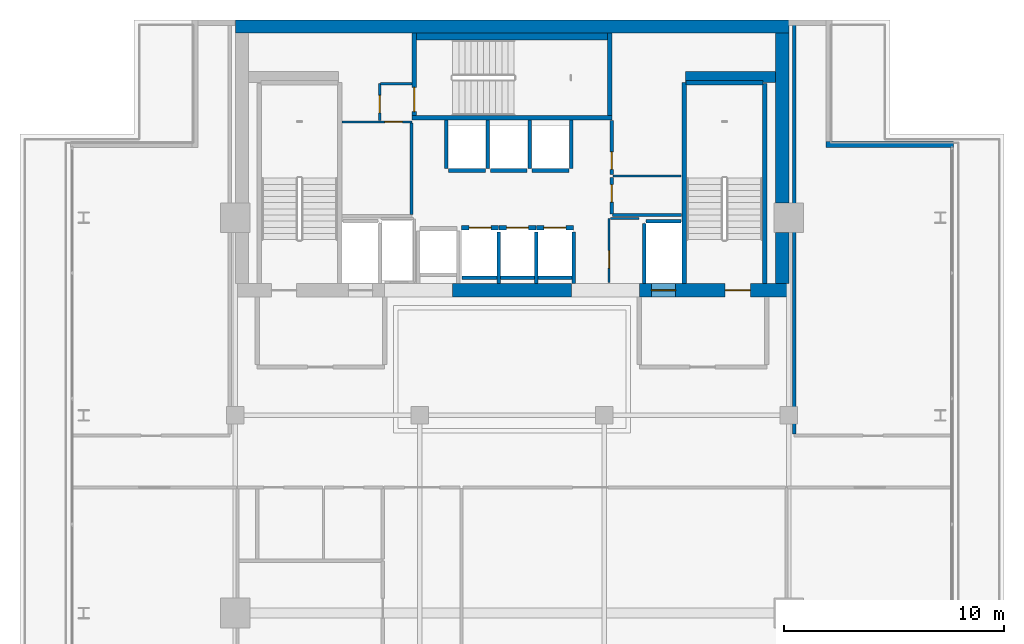
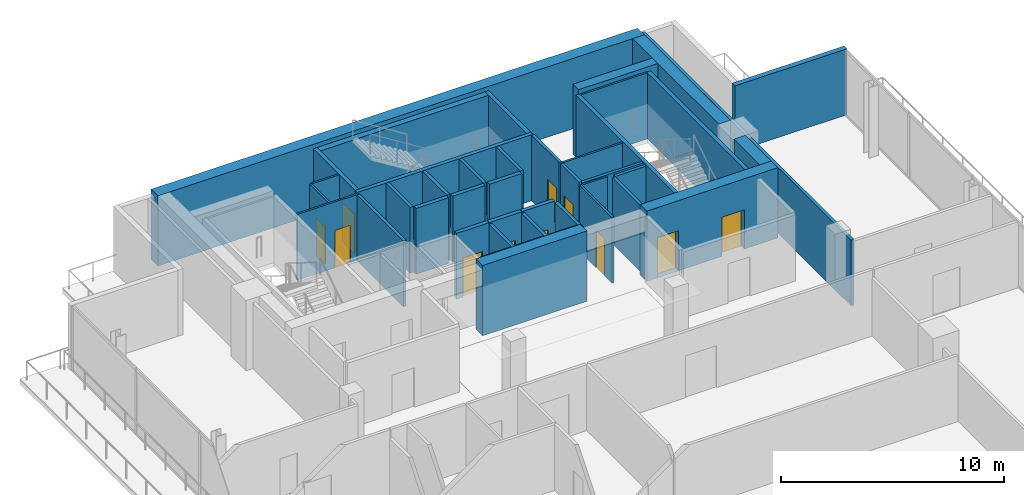
# One storey, part 17 of 21: 41 walls, 11 doors, 11 openings.
"""IFC4 building model written with IfcOpenShell, lengths in metres."""

from ifc_helpers import new_model, si_unit, direction, frame, frame_2d, origin, place, context, subcontext, project, spatial, rectangle, extrude, material, layer, layer_set, type_object, element, fill, save


model = new_model("IFC4")

# Units and contexts
model_context = context("Model", 3, precision=1e-05, world=origin(), true_north=direction((0.0, 1.0)))
body_context = subcontext(model_context, "Body", "Model", "MODEL_VIEW")
ifc_project = project(units=[si_unit("LENGTHUNIT", "METRE"), si_unit("AREAUNIT", "SQUARE_METRE"), si_unit("VOLUMEUNIT", "CUBIC_METRE"), si_unit("PLANEANGLEUNIT", "RADIAN"), si_unit("MASSUNIT", "GRAM", prefix="KILO")], contexts=[model_context])

# Site, building, storey
site_placement = place(None, origin())
site = spatial("IfcSite", under=ifc_project, at=site_placement, CompositionType="ELEMENT")
building_placement = place(site_placement, origin())
building = spatial("IfcBuilding", under=site, at=building_placement, Name="Maruvema Waterfront Hotel and Observation Tower", CompositionType="ELEMENT")
storey_placement = place(building_placement, frame((0.0, 0.0, 322.0)))
storey = spatial("IfcBuildingStorey", under=building, at=storey_placement, Name="L79", CompositionType="ELEMENT", Elevation=322.0)

# Wall
ifc_material_1 = material(Name="Twin-stud acoustic gypsum drywall", Category="gypsum")
ifc_layer_1 = layer(ifc_material_1, 0.14990234375, Name="Acoustic Corridor and Suite Demising Wall 150 mm")
ifc_layer_set_1 = layer_set([ifc_layer_1], Name="Twin-stud acoustic gypsum drywall")
wall_type_1 = type_object("IfcWallType", Name="Acoustic Corridor and Suite Demising Wall 150 mm", PredefinedType="PARTITIONING", material=ifc_layer_set_1)
wall_1_placement = place(storey_placement, frame((33.219970703125, 45.139892578125, 0.0), z_axis=(0.0, 0.0, 1.0), x_axis=(0.0, 1.0, 0.0)))
element("IfcWall", 1, at=wall_1_placement, inside=storey, type_object=wall_type_1, Name="L79 Freed B1 East Wall 013", PredefinedType="PARTITIONING", context=body_context, shape_type="SweptSolid", body=[
    extrude(rectangle(XDim=4.16015625, YDim=0.14990234375, at=frame_2d((2.080078125, 0.0))), origin(), (0.0, 0.0, 1.0), 3.610107421875),
])

# Wall, opening, door
wall_2_placement = place(storey_placement, frame((42.340087890625, 45.159912109375, 0.0), z_axis=(0.0, 0.0, 1.0), x_axis=(0.0, 1.0, 0.0)))
wall_2 = element("IfcWall", 2, at=wall_2_placement, inside=storey, type_object=wall_type_1, Name="L79 Freed B2 West S 017", PredefinedType="PARTITIONING", context=body_context, shape_type="SweptSolid", body=[
    extrude(rectangle(XDim=1.68017578125, YDim=0.14990234375, at=frame_2d((0.840087890625, 0.0))), origin(), (0.0, 0.0, 1.0), 3.610107421875),
])
opening_1_placement = place(wall_2_placement, frame((0.550048828125, 0.0, 0.0)))
opening_1 = element("IfcOpeningElement", 3, at=opening_1_placement, cuts=wall_2, Name="Opening DR-080", PredefinedType="OPENING", context=body_context, shape_type="SweptSolid", body=[
    extrude(rectangle(XDim=0.800048828125, YDim=2.050048828125, at=frame_2d((0.39990234375, 1.02490234375))), frame((0.0, 0.0849609375, 0.0), z_axis=(0.0, -1.0, 0.0), x_axis=(1.0, 0.0, 0.0)), (0.0, 0.0, 1.0), 0.169921875),
])
ifc_material_2 = material(Name="Powder-coated steel access leaf", Category="steel")
door_type_1 = type_object("IfcDoorType", Name="Riser and Service Cupboard Door 800x2050 mm", OperationType="NOTDEFINED", PredefinedType="DOOR", material=ifc_material_2)
door_1_placement = place(opening_1_placement, frame((0.800048828125, 0.0, 0.0), z_axis=(0.0, 0.0, 1.0), x_axis=(-1.0, 0.0, 0.0)))
door_1 = element("IfcDoor", 4, at=door_1_placement, inside=storey, type_object=door_type_1, Name="L79 Butler Service Pantry Door", OperationType="SINGLE_SWING_RIGHT", OverallHeight=2.050048828125, OverallWidth=0.800048828125, PredefinedType="DOOR", context=body_context, shape_type="SweptSolid", body=[
    extrude(rectangle(XDim=0.800048828125, YDim=2.050048828125, at=frame_2d((0.39990234375, 1.02490234375))), frame((0.0, 0.02490234375, 0.0), z_axis=(0.0, -1.0, 0.0), x_axis=(1.0, 0.0, 0.0)), (0.0, 0.0, 1.0), 0.050048828125),
])
fill(opening_1, door_1)

wall_3_placement = place(storey_placement, frame((42.340087890625, 46.9599609375, 0.0), z_axis=(0.0, 0.0, 1.0), x_axis=(0.0, 1.0, 0.0)))
wall_3 = element("IfcWall", 5, at=wall_3_placement, inside=storey, type_object=wall_type_1, Name="L79 Freed B2 West N 018", PredefinedType="PARTITIONING", context=body_context, shape_type="SweptSolid", body=[
    extrude(rectangle(XDim=2.4599609375, YDim=0.14990234375, at=frame_2d((1.22998046875, 0.0))), origin(), (0.0, 0.0, 1.0), 3.610107421875),
])
opening_2_placement = place(wall_3_placement, frame((0.239990234375, 0.0, 0.0)))
opening_2 = element("IfcOpeningElement", 6, at=opening_2_placement, cuts=wall_3, Name="Opening DR-080", PredefinedType="OPENING", context=body_context, shape_type="SweptSolid", body=[
    extrude(rectangle(XDim=0.800048828125, YDim=2.050048828125, at=frame_2d((0.39990234375, 1.02490234375))), frame((0.0, 0.0849609375, 0.0), z_axis=(0.0, -1.0, 0.0), x_axis=(1.0, 0.0, 0.0)), (0.0, 0.0, 1.0), 0.169921875),
])
door_2_placement = place(opening_2_placement, frame((0.800048828125, 0.0, 0.0), z_axis=(0.0, 0.0, 1.0), x_axis=(-1.0, 0.0, 0.0)))
door_2 = element("IfcDoor", 7, at=door_2_placement, inside=storey, type_object=door_type_1, Name="L79 Core IT and Linen Store Door", OperationType="SINGLE_SWING_LEFT", OverallHeight=2.050048828125, OverallWidth=0.800048828125, PredefinedType="DOOR", context=body_context, shape_type="SweptSolid", body=[
    extrude(rectangle(XDim=0.800048828125, YDim=2.050048828125, at=frame_2d((0.39990234375, 1.02490234375))), frame((0.0, 0.02490234375, 0.0), z_axis=(0.0, -1.0, 0.0), x_axis=(1.0, 0.0, 0.0)), (0.0, 0.0, 1.0), 0.050048828125),
])
fill(opening_2, door_2)

# Walls
wall_4_placement = place(storey_placement, frame((42.3798828125, 45.1201171875, 0.0), z_axis=(0.0, 0.0, 1.0), x_axis=(1.0, 0.0, 0.0)))
element("IfcWall", 8, at=wall_4_placement, inside=storey, type_object=wall_type_1, Name="L79 Freed B2 South Wall 020", PredefinedType="PARTITIONING", context=body_context, shape_type="SweptSolid", body=[
    extrude(rectangle(XDim=3.14013671875, YDim=0.14990234375, at=frame_2d((1.570068359375, 0.0))), origin(), (0.0, 0.0, 1.0), 3.610107421875),
])
wall_5_placement = place(storey_placement, frame((50.64990234375, 35.139892578125, 0.0), z_axis=(0.0, 0.0, 1.0), x_axis=(0.0, 1.0, 0.0)))
element("IfcWall", 9, at=wall_5_placement, inside=storey, type_object=wall_type_1, Name="L79 L79 Pastry West 040", PredefinedType="PARTITIONING", context=body_context, shape_type="SweptSolid", body=[
    extrude(rectangle(XDim=18.780029296875, YDim=0.14990234375, at=frame_2d((9.39013671875, 0.0))), origin(), (0.0, 0.0, 1.0), 3.610107421875),
])
ifc_material_3 = material(Name="Precast concrete C45/55", Category="concrete")
ifc_layer_2 = layer(ifc_material_3, 0.300048828125, Name="Core Shaft Furring Wall 300 mm")
ifc_layer_set_2 = layer_set([ifc_layer_2], Name="Precast concrete C45/55")
wall_type_2 = type_object("IfcWallType", Name="Core Shaft Furring Wall 300 mm", PredefinedType="SOLIDWALL", material=ifc_layer_set_2)
wall_6_placement = place(storey_placement, frame((33.449951171875, 53.25, 0.0), z_axis=(0.0, 0.0, 1.0), x_axis=(1.0, 0.0, 0.0)))
element("IfcWall", 10, at=wall_6_placement, inside=storey, type_object=wall_type_2, Name="L79 Stairwell ST-02 North Furring Wall", PredefinedType="SOLIDWALL", context=body_context, shape_type="SweptSolid", body=[
    extrude(rectangle(XDim=8.699951171875, YDim=0.300048828125, at=frame_2d((4.35009765625, 0.0))), origin(), (0.0, 0.0, 1.0), 3.610107421875),
])
ifc_material_4 = material(Name="Precast concrete C45/55", Category="concrete")
ifc_layer_3 = layer(ifc_material_4, 0.199951171875, Name="Core Shaft and Stairwell Enclosure Wall 200 mm")
ifc_layer_set_3 = layer_set([ifc_layer_3], Name="Precast concrete C45/55")
wall_type_3 = type_object("IfcWallType", Name="Core Shaft and Stairwell Enclosure Wall 200 mm", PredefinedType="SOLIDWALL", material=ifc_layer_set_3)
wall_7_placement = place(storey_placement, frame((33.25, 49.550048828125, 0.0), z_axis=(0.0, 0.0, 1.0), x_axis=(1.0, 0.0, 0.0)))
element("IfcWall", 11, at=wall_7_placement, inside=storey, type_object=wall_type_3, Name="L79 Stairwell ST-02 Shaft Wall", PredefinedType="SOLIDWALL", context=body_context, shape_type="SweptSolid", body=[
    extrude(rectangle(XDim=9.10009765625, YDim=0.199951171875, at=frame_2d((4.550048828125, 0.0))), origin(), (0.0, 0.0, 1.0), 3.610107421875),
])
wall_8_placement = place(storey_placement, frame((42.25, 49.64990234375, 0.0), z_axis=(0.0, 0.0, 1.0), x_axis=(0.0, 1.0, 0.0)))
element("IfcWall", 12, at=wall_8_placement, inside=storey, type_object=wall_type_3, Name="L79 Stairwell ST-02 Shaft Wall", PredefinedType="SOLIDWALL", context=body_context, shape_type="SweptSolid", body=[
    extrude(rectangle(XDim=3.75, YDim=0.199951171875, at=frame_2d((1.875, 0.0))), origin(), (0.0, 0.0, 1.0), 3.610107421875),
])

# Wall, opening, door
wall_9_placement = place(storey_placement, frame((33.35009765625, 49.64990234375, 0.0), z_axis=(0.0, 0.0, 1.0), x_axis=(0.0, 1.0, 0.0)))
wall_9 = element("IfcWall", 13, at=wall_9_placement, inside=storey, type_object=wall_type_3, Name="L79 Stairwell ST-02 Shaft Wall", PredefinedType="SOLIDWALL", context=body_context, shape_type="SweptSolid", body=[
    extrude(rectangle(XDim=3.75, YDim=0.199951171875, at=frame_2d((1.875, 0.0))), origin(), (0.0, 0.0, 1.0), 3.610107421875),
])
opening_3_placement = place(wall_9_placement, frame((0.179931640625, 0.0, 0.0)))
opening_3 = element("IfcOpeningElement", 14, at=opening_3_placement, cuts=wall_9, Name="Opening SD-02", PredefinedType="OPENING", context=body_context, shape_type="SweptSolid", body=[
    extrude(rectangle(XDim=1.10009765625, YDim=2.14990234375, at=frame_2d((0.550048828125, 1.074951171875))), frame((0.0, 0.10986328125, 0.0), z_axis=(0.0, -1.0, 0.0), x_axis=(1.0, 0.0, 0.0)), (0.0, 0.0, 1.0), 0.219970703125),
])
ifc_material_5 = material(Name="Fire-rated galvanised steel leaf", Category="steel")
door_type_2 = type_object("IfcDoorType", Name="Central Exit Stair Fire Door 1100x2150 mm", OperationType="NOTDEFINED", PredefinedType="DOOR", material=ifc_material_5)
door_3_placement = place(opening_3_placement, frame((1.10009765625, 0.0, 0.0), z_axis=(0.0, 0.0, 1.0), x_axis=(-1.0, 0.0, 0.0)))
door_3 = element("IfcDoor", 15, at=door_3_placement, inside=storey, type_object=door_type_2, Name="L79 Exit Stair ST-02 Fire Door", OperationType="SINGLE_SWING_LEFT", OverallHeight=2.14990234375, OverallWidth=1.10009765625, PredefinedType="DOOR", context=body_context, shape_type="SweptSolid", body=[
    extrude(rectangle(XDim=1.10009765625, YDim=2.14990234375, at=frame_2d((0.550048828125, 1.074951171875))), frame((0.0, 0.02490234375, 0.0), z_axis=(0.0, -1.0, 0.0), x_axis=(1.0, 0.0, 0.0)), (0.0, 0.0, 1.0), 0.050048828125),
])
fill(opening_3, door_3)

# Walls
wall_10_placement = place(storey_placement, frame((45.64990234375, 42.0, 0.0), z_axis=(0.0, 0.0, 1.0), x_axis=(0.0, 1.0, 0.0)))
element("IfcWall", 16, at=wall_10_placement, inside=storey, type_object=wall_type_3, Name="L79 Stairwell ST-03 West Shaft Wall", PredefinedType="SOLIDWALL", context=body_context, shape_type="SweptSolid", body=[
    extrude(rectangle(XDim=9.14990234375, YDim=0.199951171875, at=frame_2d((4.574951171875, 0.0))), origin(), (0.0, 0.0, 1.0), 3.610107421875),
])
wall_11_placement = place(storey_placement, frame((49.300048828125, 42.0, 0.0), z_axis=(0.0, 0.0, 1.0), x_axis=(0.0, 1.0, 0.0)))
element("IfcWall", 17, at=wall_11_placement, inside=storey, type_object=wall_type_3, Name="L79 Stairwell ST-03 Shaft Lining Wall", PredefinedType="SOLIDWALL", context=body_context, shape_type="SweptSolid", body=[
    extrude(rectangle(XDim=9.1201171875, YDim=0.199951171875, at=frame_2d((4.56005859375, 0.0))), origin(), (0.0, 0.0, 1.0), 3.610107421875),
])
wall_12_placement = place(storey_placement, frame((45.719970703125, 51.14990234375, 0.0), z_axis=(0.0, 0.0, 1.0), x_axis=(1.0, 0.0, 0.0)))
element("IfcWall", 18, at=wall_12_placement, inside=storey, type_object=wall_type_3, Name="L79 Stairwell ST-03 Shaft Lining Wall", PredefinedType="SOLIDWALL", context=body_context, shape_type="SweptSolid", body=[
    extrude(rectangle(XDim=3.5, YDim=0.199951171875, at=frame_2d((1.75, 0.0))), origin(), (0.0, 0.0, 1.0), 3.610107421875),
])

# Wall, opening, door
wall_13_placement = place(storey_placement, frame((35.510009765625, 44.550048828125, 0.0), z_axis=(0.0, 0.0, 1.0), x_axis=(1.0, 0.0, 0.0)))
wall_13 = element("IfcWall", 19, at=wall_13_placement, inside=storey, type_object=wall_type_3, Name="L79 Lift LF-09 Hoistway Front Wall", PredefinedType="SOLIDWALL", context=body_context, shape_type="SweptSolid", body=[
    extrude(rectangle(XDim=1.679931640625, YDim=0.199951171875, at=frame_2d((0.83984375, 0.0))), origin(), (0.0, 0.0, 1.0), 3.610107421875),
])
opening_4_placement = place(wall_13_placement, frame((0.340087890625, 0.0, 0.0)))
opening_4 = element("IfcOpeningElement", 20, at=opening_4_placement, cuts=wall_13, Name="Opening LD-01", PredefinedType="OPENING", context=body_context, shape_type="SweptSolid", body=[
    extrude(rectangle(XDim=1.0, YDim=2.14990234375, at=frame_2d((0.5, 1.074951171875))), frame((0.0, 0.10986328125, 0.0), z_axis=(0.0, -1.0, 0.0), x_axis=(1.0, 0.0, 0.0)), (0.0, 0.0, 1.0), 0.219970703125),
])
ifc_material_6 = material(Name="Brushed stainless steel Grade 316", Category="steel")
door_type_3 = type_object("IfcDoorType", Name="Passenger Lift Sliding Landing Door 1000x2150 mm", OperationType="SLIDING_TO_LEFT", PredefinedType="DOOR", material=ifc_material_6)
door_4_placement = place(opening_4_placement, origin())
door_4 = element("IfcDoor", 21, at=door_4_placement, inside=storey, type_object=door_type_3, Name="L79 Lift LF-09 Sliding Landing Door", OperationType="SLIDING_TO_LEFT", OverallHeight=2.14990234375, OverallWidth=1.0, PredefinedType="DOOR", context=body_context, shape_type="SweptSolid", body=[
    extrude(rectangle(XDim=1.0, YDim=2.14990234375, at=frame_2d((0.5, 1.074951171875))), frame((0.0, 0.02490234375, 0.0), z_axis=(0.0, -1.0, 0.0), x_axis=(1.0, 0.0, 0.0)), (0.0, 0.0, 1.0), 0.050048828125),
])
fill(opening_4, door_4)

wall_14_placement = place(storey_placement, frame((37.2099609375, 44.550048828125, 0.0), z_axis=(0.0, 0.0, 1.0), x_axis=(1.0, 0.0, 0.0)))
wall_14 = element("IfcWall", 22, at=wall_14_placement, inside=storey, type_object=wall_type_3, Name="L79 Lift LF-10 Hoistway Front Wall", PredefinedType="SOLIDWALL", context=body_context, shape_type="SweptSolid", body=[
    extrude(rectangle(XDim=1.679931640625, YDim=0.199951171875, at=frame_2d((0.83984375, 0.0))), origin(), (0.0, 0.0, 1.0), 3.610107421875),
])
opening_5_placement = place(wall_14_placement, frame((0.340087890625, 0.0, 0.0)))
opening_5 = element("IfcOpeningElement", 23, at=opening_5_placement, cuts=wall_14, Name="Opening LD-01", PredefinedType="OPENING", context=body_context, shape_type="SweptSolid", body=[
    extrude(rectangle(XDim=1.0, YDim=2.14990234375, at=frame_2d((0.5, 1.074951171875))), frame((0.0, 0.10986328125, 0.0), z_axis=(0.0, -1.0, 0.0), x_axis=(1.0, 0.0, 0.0)), (0.0, 0.0, 1.0), 0.219970703125),
])
door_5_placement = place(opening_5_placement, origin())
door_5 = element("IfcDoor", 24, at=door_5_placement, inside=storey, type_object=door_type_3, Name="L79 Lift LF-10 Sliding Landing Door", OperationType="SLIDING_TO_LEFT", OverallHeight=2.14990234375, OverallWidth=1.0, PredefinedType="DOOR", context=body_context, shape_type="SweptSolid", body=[
    extrude(rectangle(XDim=1.0, YDim=2.14990234375, at=frame_2d((0.5, 1.074951171875))), frame((0.0, 0.02490234375, 0.0), z_axis=(0.0, -1.0, 0.0), x_axis=(1.0, 0.0, 0.0)), (0.0, 0.0, 1.0), 0.050048828125),
])
fill(opening_5, door_5)

wall_15_placement = place(storey_placement, frame((38.909912109375, 44.550048828125, 0.0), z_axis=(0.0, 0.0, 1.0), x_axis=(1.0, 0.0, 0.0)))
wall_15 = element("IfcWall", 25, at=wall_15_placement, inside=storey, type_object=wall_type_3, Name="L79 Lift LF-11 Hoistway Front Wall", PredefinedType="SOLIDWALL", context=body_context, shape_type="SweptSolid", body=[
    extrude(rectangle(XDim=1.68017578125, YDim=0.199951171875, at=frame_2d((0.840087890625, 0.0))), origin(), (0.0, 0.0, 1.0), 3.610107421875),
])
opening_6_placement = place(wall_15_placement, frame((0.340087890625, 0.0, 0.0)))
opening_6 = element("IfcOpeningElement", 26, at=opening_6_placement, cuts=wall_15, Name="Opening LD-01", PredefinedType="OPENING", context=body_context, shape_type="SweptSolid", body=[
    extrude(rectangle(XDim=1.0, YDim=2.14990234375, at=frame_2d((0.5, 1.074951171875))), frame((0.0, 0.10986328125, 0.0), z_axis=(0.0, -1.0, 0.0), x_axis=(1.0, 0.0, 0.0)), (0.0, 0.0, 1.0), 0.219970703125),
])
door_6_placement = place(opening_6_placement, origin())
door_6 = element("IfcDoor", 27, at=door_6_placement, inside=storey, type_object=door_type_3, Name="L79 Lift LF-11 Sliding Landing Door", OperationType="SLIDING_TO_LEFT", OverallHeight=2.14990234375, OverallWidth=1.0, PredefinedType="DOOR", context=body_context, shape_type="SweptSolid", body=[
    extrude(rectangle(XDim=1.0, YDim=2.14990234375, at=frame_2d((0.5, 1.074951171875))), frame((0.0, 0.02490234375, 0.0), z_axis=(0.0, -1.0, 0.0), x_axis=(1.0, 0.0, 0.0)), (0.0, 0.0, 1.0), 0.050048828125),
])
fill(opening_6, door_6)

# Walls
wall_16_placement = place(storey_placement, frame((34.909912109375, 47.14990234375, 0.0), z_axis=(0.0, 0.0, 1.0), x_axis=(1.0, 0.0, 0.0)))
element("IfcWall", 28, at=wall_16_placement, inside=storey, type_object=wall_type_3, Name="L79 Lift LF-12 Hoistway Front Wall", PredefinedType="SOLIDWALL", context=body_context, shape_type="SweptSolid", body=[
    extrude(rectangle(XDim=1.68017578125, YDim=0.199951171875, at=frame_2d((0.840087890625, 0.0))), origin(), (0.0, 0.0, 1.0), 3.610107421875),
])
for number, where, z_axis, x_axis, name in (
    (29, (36.81005859375, 47.14990234375, 0.0), (0.0, 0.0, 1.0), (1.0, 0.0, 0.0), "L79 Lift LF-13 Hoistway Front Wall"),
    (30, (38.7099609375, 47.14990234375, 0.0), (0.0, 0.0, 1.0), (1.0, 0.0, 0.0), "L79 Lift LF-14 Hoistway Front Wall"),
):
    element("IfcWall", number, at=place(storey_placement, frame(where, z_axis=z_axis, x_axis=x_axis)), inside=storey, type_object=wall_type_3, Name=name, PredefinedType="SOLIDWALL", context=body_context, shape_type="SweptSolid", body=[
        extrude(rectangle(XDim=1.679931640625, YDim=0.199951171875, at=frame_2d((0.83984375, 0.0))), origin(), (0.0, 0.0, 1.0), 3.610107421875),
    ])
ifc_material_7 = material(Name="Concrete C70/85", Category="concrete")
ifc_layer_4 = layer(ifc_material_7, 0.5, Name="Core Shear Wall 500 mm")
ifc_layer_set_4 = layer_set([ifc_layer_4], Name="Concrete C70/85")
wall_type_4 = type_object("IfcWallType", Name="Core Shear Wall 500 mm", PredefinedType="SHEAR", material=ifc_layer_set_4)
wall_17_placement = place(storey_placement, frame((45.699951171875, 51.39990234375, 0.0), z_axis=(0.0, 0.0, 1.0), x_axis=(1.0, 0.0, 0.0)))
element("IfcWall", 31, at=wall_17_placement, inside=storey, type_object=wall_type_4, Name="L79 Internal Core Shear Wall NE 500 mm", PredefinedType="SHEAR", context=body_context, shape_type="SweptSolid", body=[
    extrude(rectangle(XDim=4.10009765625, YDim=0.5, at=frame_2d((2.050048828125, 0.0))), origin(), (0.0, 0.0, 1.0), 3.85009765625),
])
ifc_material_8 = material(Name="Concrete C60/75", Category="concrete")
ifc_layer_5 = layer(ifc_material_8, 0.60009765625, Name="Core Shear Wall 600 mm")
ifc_layer_set_5 = layer_set([ifc_layer_5], Name="Concrete C60/75")
wall_type_5 = type_object("IfcWallType", Name="Core Shear Wall 600 mm", PredefinedType="SHEAR", material=ifc_layer_set_5)
wall_18_placement = place(storey_placement, frame((25.199951171875, 53.699951171875, 0.0), z_axis=(0.0, 0.0, 1.0), x_axis=(1.0, 0.0, 0.0)))
element("IfcWall", 32, at=wall_18_placement, inside=storey, type_object=wall_type_5, Name="L79 North Core Shear Wall", PredefinedType="SHEAR", context=body_context, shape_type="SweptSolid", body=[
    extrude(rectangle(XDim=25.199951171875, YDim=0.60009765625, at=frame_2d((12.60009765625, 0.0))), origin(), (0.0, 0.0, 1.0), 3.85009765625),
])
wall_19_placement = place(storey_placement, frame((35.10009765625, 41.699951171875, 0.0), z_axis=(0.0, 0.0, 1.0), x_axis=(1.0, 0.0, 0.0)))
element("IfcWall", 33, at=wall_19_placement, inside=storey, type_object=wall_type_5, Name="L79 South-Central Core Shear Wall", PredefinedType="SHEAR", context=body_context, shape_type="SweptSolid", body=[
    extrude(rectangle(XDim=5.39990234375, YDim=0.60009765625, at=frame_2d((2.699951171875, 0.0))), origin(), (0.0, 0.0, 1.0), 3.85009765625),
])

# Wall, openings, doors
wall_20_placement = place(storey_placement, frame((43.60009765625, 41.699951171875, 0.0), z_axis=(0.0, 0.0, 1.0), x_axis=(1.0, 0.0, 0.0)))
wall_20 = element("IfcWall", 34, at=wall_20_placement, inside=storey, type_object=wall_type_5, Name="L79 South-East Core Shear Wall", PredefinedType="SHEAR", context=body_context, shape_type="SweptSolid", body=[
    extrude(rectangle(XDim=6.7998046875, YDim=0.60009765625, at=frame_2d((3.39990234375, 0.0))), origin(), (0.0, 0.0, 1.0), 3.85009765625),
])
opening_7_placement = place(wall_20_placement, frame((3.89990234375, 0.0, 0.0)))
opening_7 = element("IfcOpeningElement", 35, at=opening_7_placement, cuts=wall_20, Name="Opening SD-01", PredefinedType="OPENING", context=body_context, shape_type="SweptSolid", body=[
    extrude(rectangle(XDim=1.14990234375, YDim=2.14990234375, at=frame_2d((0.574951171875, 1.074951171875))), frame((0.0, 0.31005859375, 0.0), z_axis=(0.0, -1.0, 0.0), x_axis=(1.0, 0.0, 0.0)), (0.0, 0.0, 1.0), 0.6201171875),
])
opening_8_placement = place(wall_20_placement, frame((0.550048828125, 0.0, 0.0)))
opening_8 = element("IfcOpeningElement", 36, at=opening_8_placement, cuts=wall_20, Name="Opening LD-03", PredefinedType="OPENING", context=body_context, shape_type="SweptSolid", body=[
    extrude(rectangle(XDim=1.10009765625, YDim=2.199951171875, at=frame_2d((0.550048828125, 1.10009765625))), frame((0.0, 0.31005859375, 0.0), z_axis=(0.0, -1.0, 0.0), x_axis=(1.0, 0.0, 0.0)), (0.0, 0.0, 1.0), 0.6201171875),
])
ifc_material_9 = material(Name="Fire-rated galvanised steel leaf", Category="steel")
door_type_4 = type_object("IfcDoorType", Name="Exit Stair Fire Door 1150x2150 mm", OperationType="NOTDEFINED", PredefinedType="DOOR", material=ifc_material_9)
door_7_placement = place(opening_7_placement, origin())
door_7 = element("IfcDoor", 37, at=door_7_placement, inside=storey, type_object=door_type_4, Name="L79 Exit Stair ST-03 Fire Door", OperationType="SINGLE_SWING_RIGHT", OverallHeight=2.14990234375, OverallWidth=1.14990234375, PredefinedType="DOOR", context=body_context, shape_type="SweptSolid", body=[
    extrude(rectangle(XDim=1.14990234375, YDim=2.14990234375, at=frame_2d((0.574951171875, 1.074951171875))), frame((0.0, 0.02490234375, 0.0), z_axis=(0.0, -1.0, 0.0), x_axis=(1.0, 0.0, 0.0)), (0.0, 0.0, 1.0), 0.050048828125),
])
fill(opening_7, door_7)
ifc_material_10 = material(Name="Brushed stainless steel Grade 316", Category="steel")
door_type_5 = type_object("IfcDoorType", Name="Firefighting Lift Sliding Landing Door 1100x2200 mm", OperationType="SLIDING_TO_LEFT", PredefinedType="DOOR", material=ifc_material_10)
door_8_placement = place(opening_8_placement, frame((1.10009765625, 0.0, 0.0), z_axis=(0.0, 0.0, 1.0), x_axis=(-1.0, 0.0, 0.0)))
door_8 = element("IfcDoor", 38, at=door_8_placement, inside=storey, type_object=door_type_5, Name="L79 Firefighting Lift FL-02 Landing Door", OperationType="SLIDING_TO_LEFT", OverallHeight=2.199951171875, OverallWidth=1.10009765625, PredefinedType="DOOR", context=body_context, shape_type="SweptSolid", body=[
    extrude(rectangle(XDim=1.10009765625, YDim=2.199951171875, at=frame_2d((0.550048828125, 1.10009765625))), frame((0.0, 0.02490234375, 0.0), z_axis=(0.0, -1.0, 0.0), x_axis=(1.0, 0.0, 0.0)), (0.0, 0.0, 1.0), 0.050048828125),
])
fill(opening_8, door_8)

# Walls
wall_21_placement = place(storey_placement, frame((50.10009765625, 42.0, 0.0), z_axis=(0.0, 0.0, 1.0), x_axis=(0.0, 1.0, 0.0)))
element("IfcWall", 39, at=wall_21_placement, inside=storey, type_object=wall_type_5, Name="L79 East-South Core Shear Wall", PredefinedType="SHEAR", context=body_context, shape_type="SweptSolid", body=[
    extrude(rectangle(XDim=2.324951171875, YDim=0.60009765625, at=frame_2d((1.16259765625, 0.0))), origin(), (0.0, 0.0, 1.0), 3.85009765625),
])
wall_22_placement = place(storey_placement, frame((50.10009765625, 45.675048828125, 0.0), z_axis=(0.0, 0.0, 1.0), x_axis=(0.0, 1.0, 0.0)))
element("IfcWall", 40, at=wall_22_placement, inside=storey, type_object=wall_type_5, Name="L79 East-North Core Shear Wall", PredefinedType="SHEAR", context=body_context, shape_type="SweptSolid", body=[
    extrude(rectangle(XDim=7.724853515625, YDim=0.60009765625, at=frame_2d((3.8623046875, 0.0))), origin(), (0.0, 0.0, 1.0), 3.85009765625),
])

# Wall, opening, door
ifc_material_11 = material(Name="Moisture-resistant cement-board drywall", Category="gypsum")
ifc_layer_6 = layer(ifc_material_11, 0.10009765625, Name="En-Suite Moisture-Resistant Partition 100 mm")
ifc_layer_set_6 = layer_set([ifc_layer_6], Name="Moisture-resistant cement-board drywall")
wall_type_6 = type_object("IfcWallType", Name="En-Suite Moisture-Resistant Partition 100 mm", PredefinedType="PARTITIONING", material=ifc_layer_set_6)
wall_23_placement = place(storey_placement, frame((42.219970703125, 42.050048828125, 0.0), z_axis=(0.0, 0.0, 1.0), x_axis=(0.0, 1.0, 0.0)))
wall_23 = element("IfcWall", 41, at=wall_23_placement, inside=storey, type_object=wall_type_6, Name="L79 Core Closet K1 West 010", PredefinedType="PARTITIONING", context=body_context, shape_type="SweptSolid", body=[
    extrude(rectangle(XDim=2.909912109375, YDim=0.10009765625, at=frame_2d((1.455078125, 0.0))), origin(), (0.0, 0.0, 1.0), 3.610107421875),
])
opening_9_placement = place(wall_23_placement, frame((0.64990234375, 0.0, 0.0)))
opening_9 = element("IfcOpeningElement", 42, at=opening_9_placement, cuts=wall_23, Name="Opening DR-080", PredefinedType="OPENING", context=body_context, shape_type="SweptSolid", body=[
    extrude(rectangle(XDim=0.800048828125, YDim=2.050048828125, at=frame_2d((0.39990234375, 1.02490234375))), frame((0.0, 0.06005859375, 0.0), z_axis=(0.0, -1.0, 0.0), x_axis=(1.0, 0.0, 0.0)), (0.0, 0.0, 1.0), 0.1201171875),
])
door_9_placement = place(opening_9_placement, frame((0.800048828125, 0.0, 0.0), z_axis=(0.0, 0.0, 1.0), x_axis=(-1.0, 0.0, 0.0)))
door_9 = element("IfcDoor", 43, at=door_9_placement, inside=storey, type_object=door_type_1, Name="L79 Core Cleaning Store Door", OperationType="SINGLE_SWING_LEFT", OverallHeight=2.050048828125, OverallWidth=0.800048828125, PredefinedType="DOOR", context=body_context, shape_type="SweptSolid", body=[
    extrude(rectangle(XDim=0.800048828125, YDim=2.050048828125, at=frame_2d((0.39990234375, 1.02490234375))), frame((0.0, 0.02490234375, 0.0), z_axis=(0.0, -1.0, 0.0), x_axis=(1.0, 0.0, 0.0)), (0.0, 0.0, 1.0), 0.050048828125),
])
fill(opening_9, door_9)

# Wall
wall_24_placement = place(storey_placement, frame((42.280029296875, 44.9599609375, 0.0), z_axis=(0.0, 0.0, 1.0), x_axis=(1.0, 0.0, 0.0)))
element("IfcWall", 44, at=wall_24_placement, inside=storey, type_object=wall_type_6, Name="L79 Core Closet K1 North 011", PredefinedType="PARTITIONING", context=body_context, shape_type="SweptSolid", body=[
    extrude(rectangle(XDim=1.300048828125, YDim=0.10009765625, at=frame_2d((0.64990234375, 0.0))), origin(), (0.0, 0.0, 1.0), 3.610107421875),
])

# Wall, opening, door
wall_25_placement = place(storey_placement, frame((30.06005859375, 49.360107421875, 0.0), z_axis=(0.0, 0.0, 1.0), x_axis=(1.0, 0.0, 0.0)))
wall_25 = element("IfcWall", 45, at=wall_25_placement, inside=storey, type_object=wall_type_6, Name="L79 Freed B1 Mid Wall 014", PredefinedType="PARTITIONING", context=body_context, shape_type="SweptSolid", body=[
    extrude(rectangle(XDim=3.179931640625, YDim=0.10009765625, at=frame_2d((1.58984375, 0.0))), origin(), (0.0, 0.0, 1.0), 3.610107421875),
])
opening_10_placement = place(wall_25_placement, frame((1.949951171875, 0.0, 0.0)))
opening_10 = element("IfcOpeningElement", 46, at=opening_10_placement, cuts=wall_25, Name="Opening DR-080", PredefinedType="OPENING", context=body_context, shape_type="SweptSolid", body=[
    extrude(rectangle(XDim=0.800048828125, YDim=2.050048828125, at=frame_2d((0.39990234375, 1.02490234375))), frame((0.0, 0.06005859375, 0.0), z_axis=(0.0, -1.0, 0.0), x_axis=(1.0, 0.0, 0.0)), (0.0, 0.0, 1.0), 0.1201171875),
])
door_10_placement = place(opening_10_placement, origin())
door_10 = element("IfcDoor", 47, at=door_10_placement, inside=storey, type_object=door_type_1, Name="L79 Housekeeping and Linen Room Door", OperationType="SINGLE_SWING_RIGHT", OverallHeight=2.050048828125, OverallWidth=0.800048828125, PredefinedType="DOOR", context=body_context, shape_type="SweptSolid", body=[
    extrude(rectangle(XDim=0.800048828125, YDim=2.050048828125, at=frame_2d((0.39990234375, 1.02490234375))), frame((0.0, 0.02490234375, 0.0), z_axis=(0.0, -1.0, 0.0), x_axis=(1.0, 0.0, 0.0)), (0.0, 0.0, 1.0), 0.050048828125),
])
fill(opening_10, door_10)

wall_26_placement = place(storey_placement, frame((31.780029296875, 49.419921875, 0.0), z_axis=(0.0, 0.0, 1.0), x_axis=(0.0, 1.0, 0.0)))
wall_26 = element("IfcWall", 48, at=wall_26_placement, inside=storey, type_object=wall_type_6, Name="L79 Freed B1 NW East Wall 015", PredefinedType="PARTITIONING", context=body_context, shape_type="SweptSolid", body=[
    extrude(rectangle(XDim=1.68017578125, YDim=0.10009765625, at=frame_2d((0.840087890625, 0.0))), origin(), (0.0, 0.0, 1.0), 3.610107421875),
])
opening_11_placement = place(wall_26_placement, frame((0.35009765625, 0.0, 0.0)))
opening_11 = element("IfcOpeningElement", 49, at=opening_11_placement, cuts=wall_26, Name="Opening DR-080", PredefinedType="OPENING", context=body_context, shape_type="SweptSolid", body=[
    extrude(rectangle(XDim=0.800048828125, YDim=2.050048828125, at=frame_2d((0.39990234375, 1.02490234375))), frame((0.0, 0.06005859375, 0.0), z_axis=(0.0, -1.0, 0.0), x_axis=(1.0, 0.0, 0.0)), (0.0, 0.0, 1.0), 0.1201171875),
])
door_11_placement = place(opening_11_placement, origin())
door_11 = element("IfcDoor", 50, at=door_11_placement, inside=storey, type_object=door_type_1, Name="L79 Guest Floor Pantry Door", OperationType="SINGLE_SWING_LEFT", OverallHeight=2.050048828125, OverallWidth=0.800048828125, PredefinedType="DOOR", context=body_context, shape_type="SweptSolid", body=[
    extrude(rectangle(XDim=0.800048828125, YDim=2.050048828125, at=frame_2d((0.39990234375, 1.02490234375))), frame((0.0, 0.02490234375, 0.0), z_axis=(0.0, -1.0, 0.0), x_axis=(1.0, 0.0, 0.0)), (0.0, 0.0, 1.0), 0.050048828125),
])
fill(opening_11, door_11)

# Walls
wall_27_placement = place(storey_placement, frame((31.820068359375, 51.10009765625, 0.0), z_axis=(0.0, 0.0, 1.0), x_axis=(1.0, 0.0, 0.0)))
element("IfcWall", 51, at=wall_27_placement, inside=storey, type_object=wall_type_6, Name="L79 Freed B1 Vestibule North Wall 016", PredefinedType="PARTITIONING", context=body_context, shape_type="SweptSolid", body=[
    extrude(rectangle(XDim=1.419921875, YDim=0.10009765625, at=frame_2d((0.7099609375, 0.0))), origin(), (0.0, 0.0, 1.0), 3.610107421875),
])
wall_28_placement = place(storey_placement, frame((42.39990234375, 46.89990234375, 0.0), z_axis=(0.0, 0.0, 1.0), x_axis=(1.0, 0.0, 0.0)))
element("IfcWall", 52, at=wall_28_placement, inside=storey, type_object=wall_type_6, Name="L79 Freed B2 Split 019", PredefinedType="PARTITIONING", context=body_context, shape_type="SweptSolid", body=[
    extrude(rectangle(XDim=3.10009765625, YDim=0.10009765625, at=frame_2d((1.550048828125, 0.0))), origin(), (0.0, 0.0, 1.0), 3.610107421875),
])
ifc_material_12 = material(Name="Precast concrete C45/55 with honed Pernambuco granite facing", Category="masonry")
ifc_layer_7 = layer(ifc_material_12, 0.260009765625, Name="Exterior Granite Clad Spandrel and Pier Wall 260 mm")
ifc_layer_set_7 = layer_set([ifc_layer_7], Name="Precast concrete C45/55 with honed Pernambuco granite facing")
wall_type_7 = type_object("IfcWallType", Name="Exterior Granite Clad Spandrel and Pier Wall 260 mm", PredefinedType="SOLIDWALL", material=ifc_layer_set_7)
wall_29_placement = place(storey_placement, frame((52.10009765625, 48.330078125, 0.0), z_axis=(0.0, 0.0, 1.0), x_axis=(1.0, 0.0, 0.0)))
element("IfcWall", 53, at=wall_29_placement, inside=storey, type_object=wall_type_7, Name="L79 Corner Notch Granite Pier Wall NE2", PredefinedType="SOLIDWALL", context=body_context, shape_type="SweptSolid", body=[
    extrude(rectangle(XDim=5.7998046875, YDim=0.260009765625, at=frame_2d((2.89990234375, 0.0))), origin(), (0.0, 0.0, 1.0), 3.610107421875),
])
ifc_material_13 = material(Name="Precast concrete C45/55", Category="concrete")
ifc_layer_8 = layer(ifc_material_13, 0.159912109375, Name="Lift Hoistway Divider Wall 160 mm")
ifc_layer_set_8 = layer_set([ifc_layer_8], Name="Precast concrete C45/55")
wall_type_8 = type_object("IfcWallType", Name="Lift Hoistway Divider Wall 160 mm", PredefinedType="SOLIDWALL", material=ifc_layer_set_8)
wall_30_placement = place(storey_placement, frame((43.89990234375, 44.830078125, 0.0), z_axis=(0.0, 0.0, 1.0), x_axis=(1.0, 0.0, 0.0)))
element("IfcWall", 54, at=wall_30_placement, inside=storey, type_object=wall_type_8, Name="L79 Lift FL-02 Rear Hoistway Wall", PredefinedType="SOLIDWALL", context=body_context, shape_type="SweptSolid", body=[
    extrude(rectangle(XDim=1.60009765625, YDim=0.159912109375, at=frame_2d((0.800048828125, 0.0))), origin(), (0.0, 0.0, 1.0), 3.610107421875),
])
wall_31_placement = place(storey_placement, frame((43.820068359375, 42.0, 0.0), z_axis=(0.0, 0.0, 1.0), x_axis=(0.0, 1.0, 0.0)))
element("IfcWall", 55, at=wall_31_placement, inside=storey, type_object=wall_type_8, Name="L79 Lift FL-02 Inner Hoistway Wall", PredefinedType="SOLIDWALL", context=body_context, shape_type="SweptSolid", body=[
    extrude(rectangle(XDim=2.739990234375, YDim=0.159912109375, at=frame_2d((1.3701171875, 0.0))), origin(), (0.0, 0.0, 1.0), 3.610107421875),
])
for number, where, z_axis, x_axis, name in (
    (56, (37.199951171875, 42.0, 0.0), (0.0, 0.0, 1.0), (0.0, 1.0, 0.0), "L79 Hoistway Divider Wall"),
    (57, (38.89990234375, 42.0, 0.0), (0.0, 0.0, 1.0), (0.0, 1.0, 0.0), "L79 Hoistway Divider Wall"),
    (58, (40.6201171875, 42.0, 0.0), (0.0, 0.0, 1.0), (0.0, 1.0, 0.0), "L79 Hoistway Divider Wall"),
):
    element("IfcWall", number, at=place(storey_placement, frame(where, z_axis=z_axis, x_axis=x_axis)), inside=storey, type_object=wall_type_8, Name=name, PredefinedType="SOLIDWALL", context=body_context, shape_type="SweptSolid", body=[
        extrude(rectangle(XDim=2.35009765625, YDim=0.159912109375, at=frame_2d((1.175048828125, 0.0))), origin(), (0.0, 0.0, 1.0), 3.610107421875),
    ])
wall_32_placement = place(storey_placement, frame((35.52001953125, 42.260009765625, 0.0), z_axis=(0.0, 0.0, 1.0), x_axis=(1.0, 0.0, 0.0)))
element("IfcWall", 59, at=wall_32_placement, inside=storey, type_object=wall_type_8, Name="L79 Hoistway Divider Wall", PredefinedType="SOLIDWALL", context=body_context, shape_type="SweptSolid", body=[
    extrude(rectangle(XDim=5.02001953125, YDim=0.159912109375, at=frame_2d((2.510009765625, 0.0))), origin(), (0.0, 0.0, 1.0), 3.610107421875),
])
for number, where, z_axis, x_axis, name in (
    (60, (34.800048828125, 47.25, 0.0), (0.0, 0.0, 1.0), (0.0, 1.0, 0.0), "L79 Hoistway Divider Wall"),
    (61, (36.699951171875, 47.25, 0.0), (0.0, 0.0, 1.0), (0.0, 1.0, 0.0), "L79 Hoistway Divider Wall"),
    (62, (38.60009765625, 47.25, 0.0), (0.0, 0.0, 1.0), (0.0, 1.0, 0.0), "L79 Hoistway Divider Wall"),
    (63, (40.5, 47.25, 0.0), (0.0, 0.0, 1.0), (0.0, 1.0, 0.0), "L79 Hoistway Divider Wall"),
):
    element("IfcWall", number, at=place(storey_placement, frame(where, z_axis=z_axis, x_axis=x_axis)), inside=storey, type_object=wall_type_8, Name=name, PredefinedType="SOLIDWALL", context=body_context, shape_type="SweptSolid", body=[
        extrude(rectangle(XDim=2.18994140625, YDim=0.159912109375, at=frame_2d((1.094970703125, 0.0))), origin(), (0.0, 0.0, 1.0), 3.610107421875),
    ])

save(model, "model.ifc")
